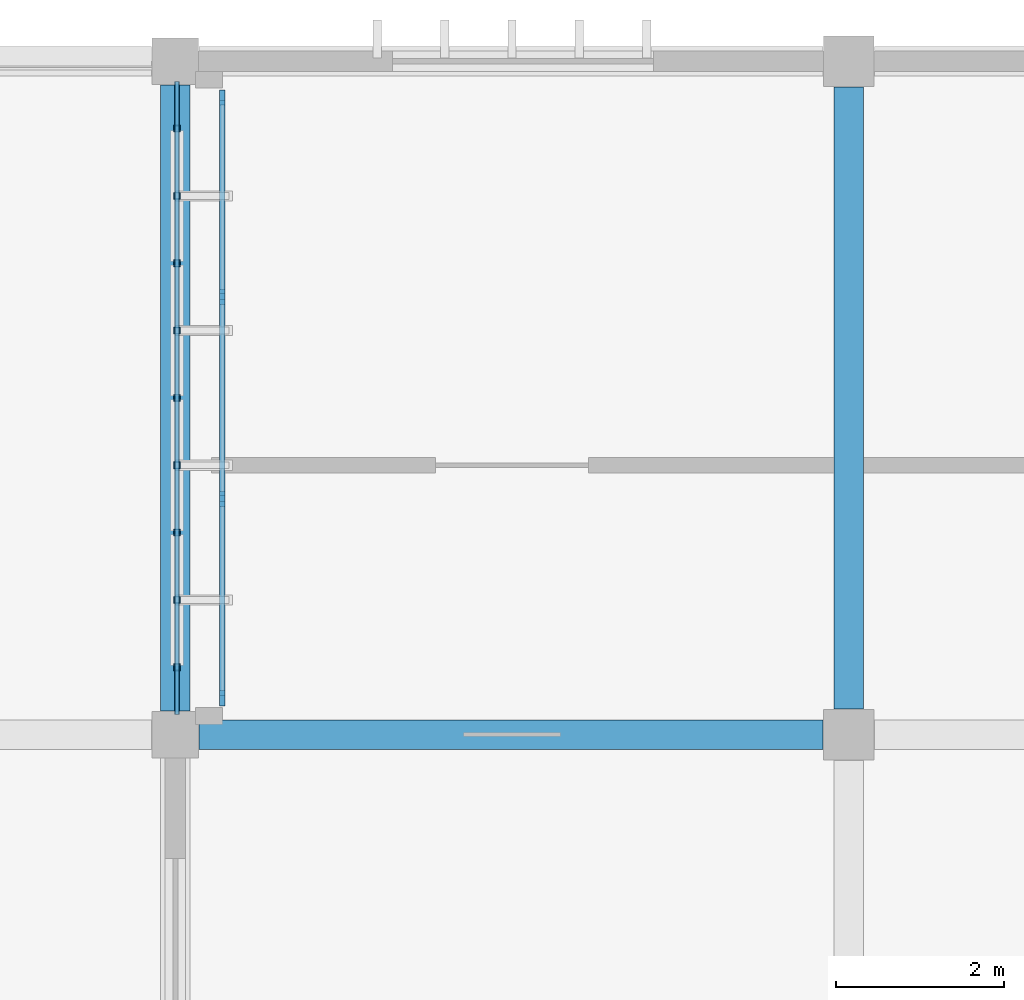
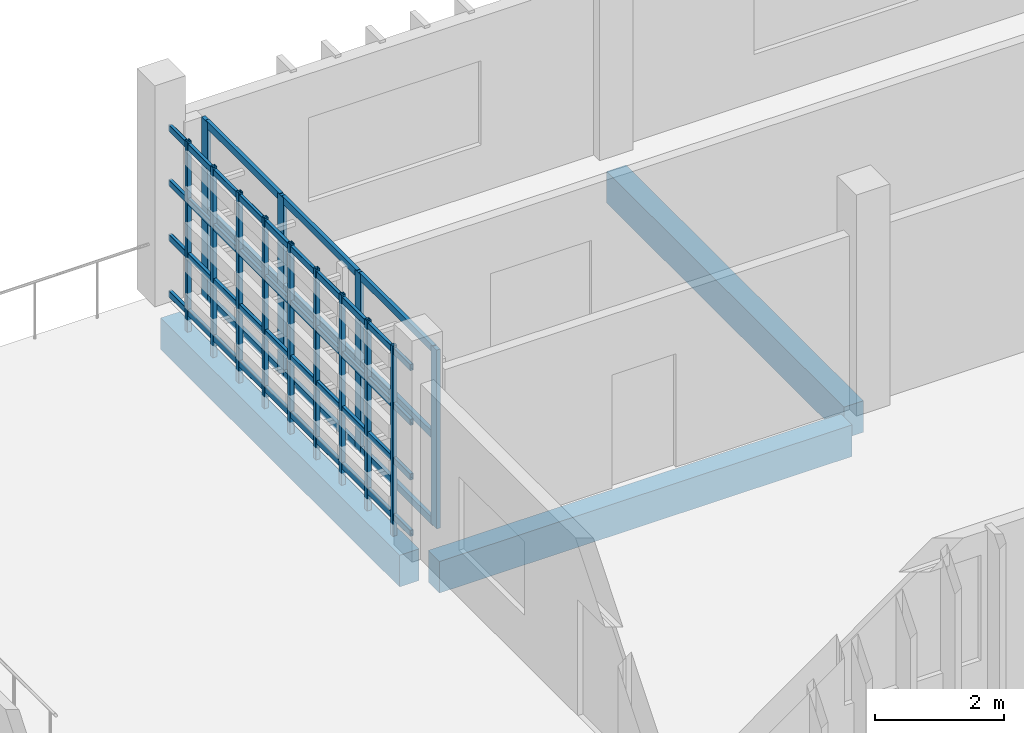
# One storey, part 6 of 48: 26 members, 3 beams, 1 element without a shape of its own.
"""IFC4 building model written with IfcOpenShell, lengths in metres."""

from ifc_helpers import new_model, si_unit, direction, frame, origin, origin_2d, place, context, subcontext, project, spatial, rectangle, hollow_rectangle, extrude, material, layer, layer_set, material_profile, profile_set, type_object, element, aggregate, save


model = new_model("IFC4")

# Units and contexts
model_context = context("Model", 3, precision=1e-05, world=origin(), true_north=direction((0.0, 1.0)))
body_context = subcontext(model_context, "Body", "Model", "MODEL_VIEW")
ifc_project = project(units=[si_unit("LENGTHUNIT", "METRE"), si_unit("AREAUNIT", "SQUARE_METRE"), si_unit("VOLUMEUNIT", "CUBIC_METRE"), si_unit("PLANEANGLEUNIT", "RADIAN"), si_unit("MASSUNIT", "GRAM", prefix="KILO")], contexts=[model_context])

# Site, building, storey
site_placement = place(None, origin())
site = spatial("IfcSite", under=ifc_project, at=site_placement, CompositionType="ELEMENT")
building_placement = place(site_placement, origin())
building = spatial("IfcBuilding", under=site, at=building_placement, Name="Jelvoka-Kovrelna Polytechnic", CompositionType="ELEMENT")
storey_placement = place(building_placement, frame((0.0, 0.0, 22.199951171875)))
storey = spatial("IfcBuildingStorey", under=building, at=storey_placement, Name="L06", CompositionType="ELEMENT", Elevation=22.199951171875)

# Beams
ifc_material_1 = material(Name="Concrete C35/45", Category="concrete")
ifc_material_profile_1 = material_profile(ifc_material_1, rectangle(XDim=0.35009765625, YDim=0.60009765625, at=origin_2d()), Name="RC 350x600")
ifc_profile_set_1 = profile_set([ifc_material_profile_1], Name="Concrete C35/45")
beam_type = type_object("IfcBeamType", Name="Beam_RC_350x600", PredefinedType="BEAM", material=ifc_profile_set_1)
beam_1_placement = place(storey_placement, frame((64.280029296875, 64.0, -0.5400390625), z_axis=(1.0, 0.0, 0.0), x_axis=(0.0, 1.0, 0.0)))
element("IfcBeam", 1, at=beam_1_placement, inside=storey, type_object=beam_type, Name="L06 beam 1704", PredefinedType="BEAM", context=body_context, shape_type="SweptSolid", body=[
    extrude(rectangle(XDim=0.35009765625, YDim=0.60009765625, at=origin_2d()), origin(), (0.0, 0.0, 1.0), 7.4150390625),
])
beam_2_placement = place(storey_placement, frame((64.0, 64.280029296875, -0.5400390625), z_axis=(0.0, 1.0, 0.0), x_axis=(-1.0, 0.0, 0.0)))
element("IfcBeam", 2, at=beam_2_placement, inside=storey, type_object=beam_type, Name="L06 beam 1716", PredefinedType="BEAM", context=body_context, shape_type="SweptSolid", body=[
    extrude(rectangle(XDim=0.35009765625, YDim=0.60009765625, at=origin_2d()), origin(), (0.0, 0.0, 1.0), 7.43994140625),
])
beam_3_placement = place(storey_placement, frame((72.0, 64.304931640625, -0.5400390625), z_axis=(0.0, 1.0, 0.0), x_axis=(-1.0, 0.0, 0.0)))
element("IfcBeam", 3, at=beam_3_placement, inside=storey, type_object=beam_type, Name="L06 beam 1718", PredefinedType="BEAM", context=body_context, shape_type="SweptSolid", body=[
    extrude(rectangle(XDim=0.35009765625, YDim=0.60009765625, at=origin_2d()), origin(), (0.0, 0.0, 1.0), 7.39013671875),
])

# Members
ifc_material_2 = material(Name="Structural steel S355J2H", Category="steel")
ifc_material_profile_2 = material_profile(ifc_material_2, hollow_rectangle(XDim=0.06005859375, YDim=0.1201171875, WallThickness=0.0048828125, InnerFilletRadius=0.0048828125, OuterFilletRadius=0.007568359375, at=origin_2d()), Name="120x60x5.0 RHS")
ifc_profile_set_2 = profile_set([ifc_material_profile_2], Name="Structural steel S355J2H")
member_type_1 = type_object("IfcMemberType", Name="Member_Strut_RHS120", PredefinedType="STRUT", material=ifc_profile_set_2)
for number, where, z_axis, x_axis, name in (
    (4, (64.02001953125, 64.239990234375, 0.14013671875), (0.0, 1.0, 0.0), (-1.0, 0.0, 0.0), "L06 terracotta screen horizontal strut 0755"),
    (5, (64.02001953125, 64.239990234375, 1.2109375), (0.0, 1.0, 0.0), (-1.0, 0.0, 0.0), "L06 terracotta screen horizontal strut 0756"),
    (6, (64.02001953125, 64.239990234375, 2.25048828125), (0.0, 1.0, 0.0), (-1.0, 0.0, 0.0), "L06 terracotta screen horizontal strut 0757"),
    (7, (64.02001953125, 64.239990234375, 3.2900390625), (0.0, 1.0, 0.0), (-1.0, 0.0, 0.0), "L06 terracotta screen horizontal strut 0758"),
):
    element("IfcMember", number, at=place(storey_placement, frame(where, z_axis=z_axis, x_axis=x_axis)), inside=storey, type_object=member_type_1, Name=name, PredefinedType="STRUT", context=body_context, shape_type="SweptSolid", body=[
        extrude(hollow_rectangle(XDim=0.06005859375, YDim=0.1201171875, WallThickness=0.0048828125, InnerFilletRadius=0.0048828125, OuterFilletRadius=0.007568359375, at=origin_2d()), origin(), (0.0, 0.0, 1.0), 7.52001953125),
    ])
ifc_material_3 = material(Name="Structural steel S355J2H", Category="steel")
ifc_material_profile_3 = material_profile(ifc_material_3, hollow_rectangle(XDim=0.080078125, YDim=0.080078125, WallThickness=0.0048828125, InnerFilletRadius=0.0048828125, OuterFilletRadius=0.007568359375, at=origin_2d()), Name="80x80x5.0 SHS")
ifc_profile_set_3 = profile_set([ifc_material_profile_3], Name="Structural steel S355J2H")
member_type_2 = type_object("IfcMemberType", Name="Member_Strut_SHS80", PredefinedType="STRUT", material=ifc_profile_set_3)
for number, where, z_axis, x_axis, name in (
    (8, (64.02001953125, 64.800048828125, -0.22998046875), (0.0, 0.0, 1.0), (1.0, 0.0, 0.0), "L06 terracotta lattice vertical rib 0759"),
    (9, (64.02001953125, 65.60009765625, -0.22998046875), (0.0, 0.0, 1.0), (1.0, 0.0, 0.0), "L06 terracotta lattice vertical rib 0760"),
    (10, (64.02001953125, 66.39990234375, -0.22998046875), (0.0, 0.0, 1.0), (1.0, 0.0, 0.0), "L06 terracotta lattice vertical rib 0761"),
    (11, (64.02001953125, 67.199951171875, -0.22998046875), (0.0, 0.0, 1.0), (1.0, 0.0, 0.0), "L06 terracotta lattice vertical rib 0762"),
    (12, (64.02001953125, 68.0, -0.22998046875), (0.0, 0.0, 1.0), (1.0, 0.0, 0.0), "L06 terracotta lattice vertical rib 0763"),
    (13, (64.02001953125, 68.800048828125, -0.22998046875), (0.0, 0.0, 1.0), (1.0, 0.0, 0.0), "L06 terracotta lattice vertical rib 0764"),
    (14, (64.02001953125, 69.60009765625, -0.22998046875), (0.0, 0.0, 1.0), (1.0, 0.0, 0.0), "L06 terracotta lattice vertical rib 0765"),
    (15, (64.02001953125, 70.39990234375, -0.22998046875), (0.0, 0.0, 1.0), (1.0, 0.0, 0.0), "L06 terracotta lattice vertical rib 0766"),
    (16, (64.02001953125, 71.199951171875, -0.22998046875), (0.0, 0.0, 1.0), (1.0, 0.0, 0.0), "L06 terracotta lattice vertical rib 0767"),
):
    element("IfcMember", number, at=place(storey_placement, frame(where, z_axis=z_axis, x_axis=x_axis)), inside=storey, type_object=member_type_2, Name=name, PredefinedType="STRUT", context=body_context, shape_type="SweptSolid", body=[
        extrude(hollow_rectangle(XDim=0.080078125, YDim=0.080078125, WallThickness=0.0048828125, InnerFilletRadius=0.0048828125, OuterFilletRadius=0.007568359375, at=origin_2d()), origin(), (0.0, 0.0, 1.0), 3.610107421875),
    ])

# Curtain wall, members
ifc_material_4 = material(Name="Anodised aluminium 6063-T6", Category="aluminium")
ifc_layer = layer(ifc_material_4, 0.179931640625)
ifc_layer_set = layer_set([ifc_layer], Name="Anodised aluminium 6063-T6")
curtain_wall_type = type_object("IfcCurtainWallType", Name="CW_Recessed_B", PredefinedType="NOTDEFINED", material=ifc_layer_set)
curtain_wall_placement = place(storey_placement, origin())
curtain_wall = element("IfcCurtainWall", 17, at=curtain_wall_placement, inside=storey, type_object=curtain_wall_type, Name="L06 glazed curtain wall 091", PredefinedType="NOTDEFINED")
ifc_material_5 = material(Name="Anodised aluminium 6063-T6", Category="aluminium")
ifc_material_profile_4 = material_profile(ifc_material_5, rectangle(XDim=0.06494140625, YDim=0.179931640625, at=origin_2d()), Name="ALU 65x180")
ifc_profile_set_4 = profile_set([ifc_material_profile_4], Name="Anodised aluminium 6063-T6")
member_type_3 = type_object("IfcMemberType", Name="Mullion_M-02", PredefinedType="MULLION", material=ifc_profile_set_4)
member_1_placement = place(storey_placement, frame((64.56005859375, 64.4326171875, -0.02490234375), z_axis=(0.0, 0.0, 1.0), x_axis=(-1.0, 0.0, 0.0)))
member_1 = element("IfcMember", 18, at=member_1_placement, type_object=member_type_3, Name="CW-02 mullion 1", PredefinedType="MULLION", context=body_context, shape_type="SweptSolid", body=[
    extrude(rectangle(XDim=0.06494140625, YDim=0.179931640625, at=origin_2d()), origin(), (0.0, 0.0, 1.0), 3.400146484375),
])
member_2_placement = place(storey_placement, frame((64.56005859375, 66.800048828125, -0.02490234375), z_axis=(0.0, 0.0, 1.0), x_axis=(-1.0, 0.0, 0.0)))
member_2 = element("IfcMember", 19, at=member_2_placement, type_object=member_type_3, Name="CW-02 mullion 2", PredefinedType="MULLION", context=body_context, shape_type="SweptSolid", body=[
    extrude(rectangle(XDim=0.06494140625, YDim=0.179931640625, at=origin_2d()), origin(), (0.0, 0.0, 1.0), 3.400146484375),
])
member_3_placement = place(storey_placement, frame((64.56005859375, 69.199951171875, -0.02490234375), z_axis=(0.0, 0.0, 1.0), x_axis=(-1.0, 0.0, 0.0)))
member_3 = element("IfcMember", 20, at=member_3_placement, type_object=member_type_3, Name="CW-02 mullion 3", PredefinedType="MULLION", context=body_context, shape_type="SweptSolid", body=[
    extrude(rectangle(XDim=0.06494140625, YDim=0.179931640625, at=origin_2d()), origin(), (0.0, 0.0, 1.0), 3.400146484375),
])
member_4_placement = place(storey_placement, frame((64.56005859375, 71.5673828125, -0.02490234375), z_axis=(0.0, 0.0, 1.0), x_axis=(-1.0, 0.0, 0.0)))
member_4 = element("IfcMember", 21, at=member_4_placement, type_object=member_type_3, Name="CW-02 mullion 4", PredefinedType="MULLION", context=body_context, shape_type="SweptSolid", body=[
    extrude(rectangle(XDim=0.06494140625, YDim=0.179931640625, at=origin_2d()), origin(), (0.0, 0.0, 1.0), 3.400146484375),
])
ifc_material_6 = material(Name="Anodised aluminium 6063-T6", Category="aluminium")
ifc_material_profile_5 = material_profile(ifc_material_6, rectangle(XDim=0.06494140625, YDim=0.135009765625, at=origin_2d()), Name="ALU 65x135")
ifc_profile_set_5 = profile_set([ifc_material_profile_5], Name="Anodised aluminium 6063-T6")
member_type_4 = type_object("IfcMemberType", Name="Transom_T-02", PredefinedType="USERDEFINED", material=ifc_profile_set_5)
member_5_placement = place(storey_placement, frame((64.56005859375, 64.465087890625, 0.032470703125), z_axis=(0.0, 1.0, 0.0), x_axis=(-1.0, 0.0, 0.0)))
member_5 = element("IfcMember", 22, at=member_5_placement, type_object=member_type_4, Name="CW-02 transom 1.1", ObjectType="TRANSOM", PredefinedType="USERDEFINED", context=body_context, shape_type="SweptSolid", body=[
    extrude(rectangle(XDim=0.06494140625, YDim=0.135009765625, at=origin_2d()), origin(), (0.0, 0.0, 1.0), 2.302490234375),
])
member_6_placement = place(storey_placement, frame((64.56005859375, 64.465087890625, 1.675048828125), z_axis=(0.0, 1.0, 0.0), x_axis=(-1.0, 0.0, 0.0)))
member_6 = element("IfcMember", 23, at=member_6_placement, type_object=member_type_4, Name="CW-02 transom 1.2", ObjectType="TRANSOM", PredefinedType="USERDEFINED", context=body_context, shape_type="SweptSolid", body=[
    extrude(rectangle(XDim=0.06494140625, YDim=0.135009765625, at=origin_2d()), origin(), (0.0, 0.0, 1.0), 2.302490234375),
])
member_7_placement = place(storey_placement, frame((64.56005859375, 64.465087890625, 3.317626953125), z_axis=(0.0, 1.0, 0.0), x_axis=(-1.0, 0.0, 0.0)))
member_7 = element("IfcMember", 24, at=member_7_placement, type_object=member_type_4, Name="CW-02 transom 1.3", ObjectType="TRANSOM", PredefinedType="USERDEFINED", context=body_context, shape_type="SweptSolid", body=[
    extrude(rectangle(XDim=0.06494140625, YDim=0.135009765625, at=origin_2d()), origin(), (0.0, 0.0, 1.0), 2.302490234375),
])
member_8_placement = place(storey_placement, frame((64.56005859375, 66.83251953125, 0.032470703125), z_axis=(0.0, 1.0, 0.0), x_axis=(-1.0, 0.0, 0.0)))
member_8 = element("IfcMember", 25, at=member_8_placement, type_object=member_type_4, Name="CW-02 transom 2.1", ObjectType="TRANSOM", PredefinedType="USERDEFINED", context=body_context, shape_type="SweptSolid", body=[
    extrude(rectangle(XDim=0.06494140625, YDim=0.135009765625, at=origin_2d()), origin(), (0.0, 0.0, 1.0), 2.3349609375),
])
member_9_placement = place(storey_placement, frame((64.56005859375, 66.83251953125, 1.675048828125), z_axis=(0.0, 1.0, 0.0), x_axis=(-1.0, 0.0, 0.0)))
member_9 = element("IfcMember", 26, at=member_9_placement, type_object=member_type_4, Name="CW-02 transom 2.2", ObjectType="TRANSOM", PredefinedType="USERDEFINED", context=body_context, shape_type="SweptSolid", body=[
    extrude(rectangle(XDim=0.06494140625, YDim=0.135009765625, at=origin_2d()), origin(), (0.0, 0.0, 1.0), 2.3349609375),
])
member_10_placement = place(storey_placement, frame((64.56005859375, 66.83251953125, 3.317626953125), z_axis=(0.0, 1.0, 0.0), x_axis=(-1.0, 0.0, 0.0)))
member_10 = element("IfcMember", 27, at=member_10_placement, type_object=member_type_4, Name="CW-02 transom 2.3", ObjectType="TRANSOM", PredefinedType="USERDEFINED", context=body_context, shape_type="SweptSolid", body=[
    extrude(rectangle(XDim=0.06494140625, YDim=0.135009765625, at=origin_2d()), origin(), (0.0, 0.0, 1.0), 2.3349609375),
])
member_11_placement = place(storey_placement, frame((64.56005859375, 69.232421875, 0.032470703125), z_axis=(0.0, 1.0, 0.0), x_axis=(-1.0, 0.0, 0.0)))
member_11 = element("IfcMember", 28, at=member_11_placement, type_object=member_type_4, Name="CW-02 transom 3.1", ObjectType="TRANSOM", PredefinedType="USERDEFINED", context=body_context, shape_type="SweptSolid", body=[
    extrude(rectangle(XDim=0.06494140625, YDim=0.135009765625, at=origin_2d()), origin(), (0.0, 0.0, 1.0), 2.302490234375),
])
member_12_placement = place(storey_placement, frame((64.56005859375, 69.232421875, 1.675048828125), z_axis=(0.0, 1.0, 0.0), x_axis=(-1.0, 0.0, 0.0)))
member_12 = element("IfcMember", 29, at=member_12_placement, type_object=member_type_4, Name="CW-02 transom 3.2", ObjectType="TRANSOM", PredefinedType="USERDEFINED", context=body_context, shape_type="SweptSolid", body=[
    extrude(rectangle(XDim=0.06494140625, YDim=0.135009765625, at=origin_2d()), origin(), (0.0, 0.0, 1.0), 2.302490234375),
])
member_13_placement = place(storey_placement, frame((64.56005859375, 69.232421875, 3.317626953125), z_axis=(0.0, 1.0, 0.0), x_axis=(-1.0, 0.0, 0.0)))
member_13 = element("IfcMember", 30, at=member_13_placement, type_object=member_type_4, Name="CW-02 transom 3.3", ObjectType="TRANSOM", PredefinedType="USERDEFINED", context=body_context, shape_type="SweptSolid", body=[
    extrude(rectangle(XDim=0.06494140625, YDim=0.135009765625, at=origin_2d()), origin(), (0.0, 0.0, 1.0), 2.302490234375),
])
aggregate(curtain_wall, [member_1, member_2, member_3, member_4, member_5, member_6, member_7, member_8, member_9, member_10, member_11, member_12, member_13])

save(model, "model.ifc")
